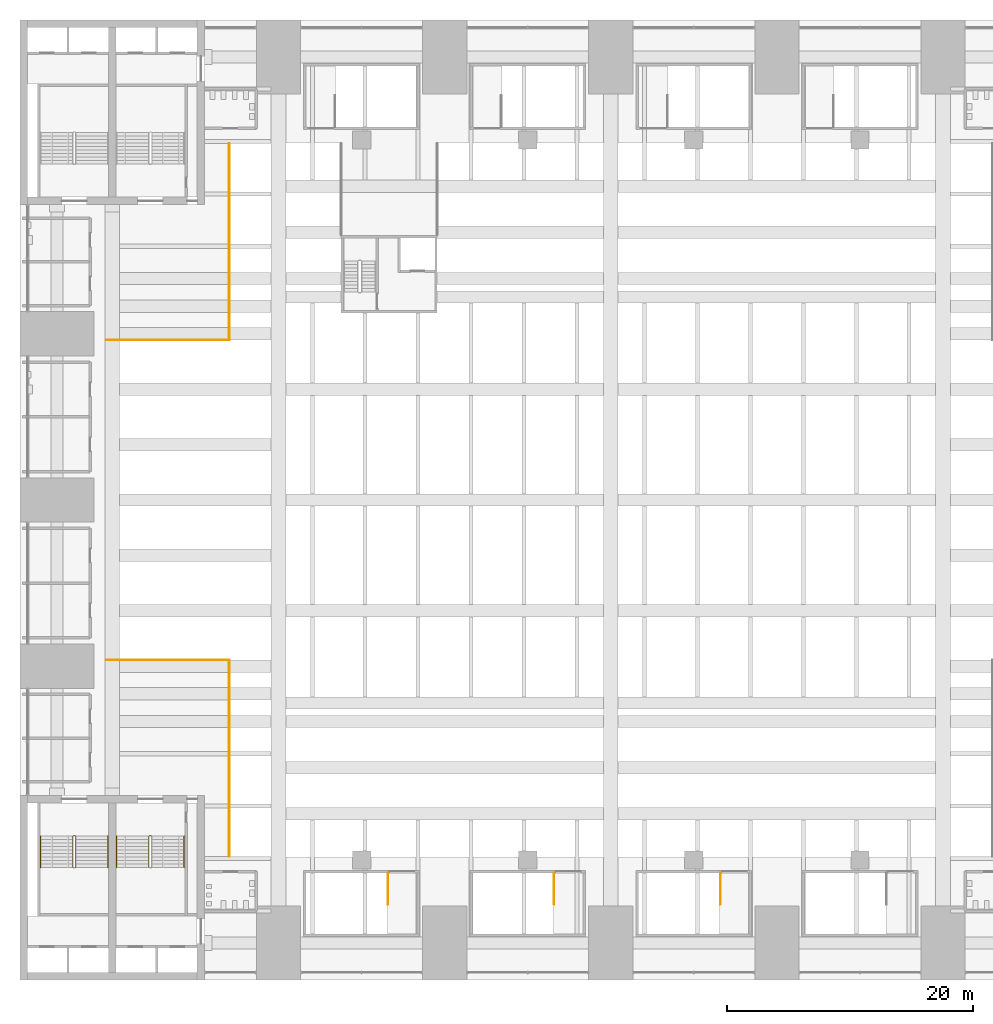
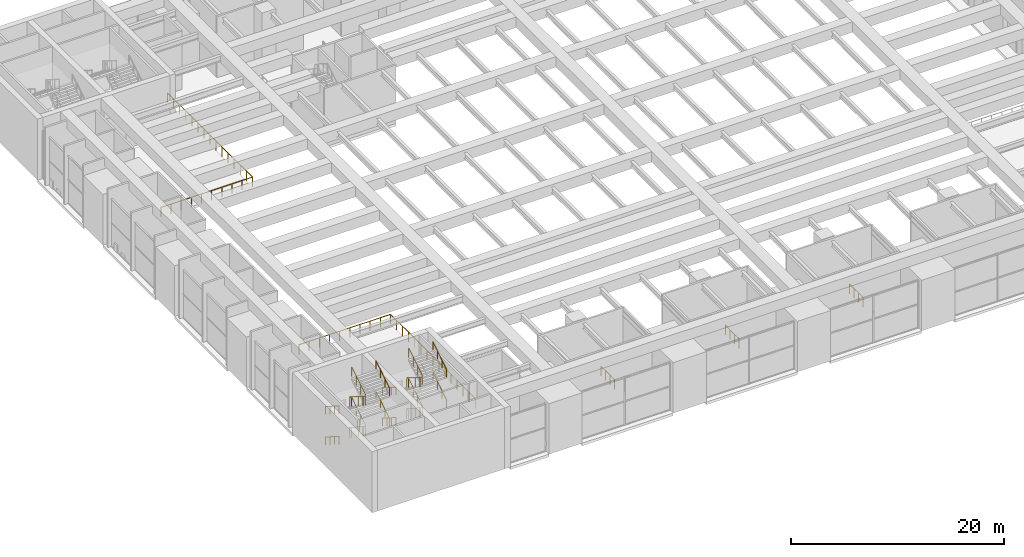
# One storey, part 41 of 45: 9 railings.
"""IFC4 building model written with IfcOpenShell, lengths in metres."""

from ifc_helpers import new_model, si_unit, direction, frame, origin, origin_2d, place, context, subcontext, project, spatial, circle, extrude, material, type_object, element, save


model = new_model("IFC4")

# Units and contexts
model_context = context("Model", 3, precision=1e-05, world=origin(), true_north=direction((0.0, 1.0)))
body_context = subcontext(model_context, "Body", "Model", "MODEL_VIEW")
ifc_project = project(units=[si_unit("LENGTHUNIT", "METRE"), si_unit("AREAUNIT", "SQUARE_METRE"), si_unit("VOLUMEUNIT", "CUBIC_METRE"), si_unit("PLANEANGLEUNIT", "RADIAN"), si_unit("MASSUNIT", "GRAM", prefix="KILO")], contexts=[model_context])

# Site, building, storey
site_placement = place(None, origin())
site = spatial("IfcSite", under=ifc_project, at=site_placement, CompositionType="ELEMENT")
building_placement = place(site_placement, origin())
building = spatial("IfcBuilding", under=site, at=building_placement, Name="Corbelhall Arena Tower", CompositionType="ELEMENT")
storey_placement = place(building_placement, frame((0.0, 0.0, 37.0)))
storey = spatial("IfcBuildingStorey", under=building, at=storey_placement, Name="L05", CompositionType="ELEMENT", Elevation=37.0)

# Railings
ifc_material_1 = material(Name="Stainless steel A4 and laminated glass", Category="steel")
railing_type_1 = type_object("IfcRailingType", Name="AR-GUARD-GLASS", PredefinedType="GUARDRAIL", material=ifc_material_1)
railing_1_placement = place(storey_placement, frame((-31.0, -28.949951171875, 0.0)))
element("IfcRailing", 1, at=railing_1_placement, inside=storey, type_object=railing_type_1, Name="Bowl void guard L05 1", PredefinedType="GUARDRAIL", context=body_context, shape_type="SweptSolid", body=[
    extrude(circle(Radius=0.02392578125, at=origin_2d()), frame((0.0, 0.0, 1.076171875), z_axis=(0.0, 1.0, 0.0), x_axis=(-1.0, 0.0, 0.0)), (0.0, 0.0, 1.0), 15.949951171875),
    extrude(circle(Radius=0.02392578125, at=origin_2d()), frame((0.0, 15.949951171875, 1.076171875), z_axis=(-1.0, 0.0, 0.0), x_axis=(0.0, -1.0, 0.0)), (0.0, 0.0, 1.0), 9.949951171875),
    extrude(circle(Radius=0.02099609375, at=origin_2d()), origin(), (0.0, 0.0, 1.0), 1.052001953125),
    extrude(circle(Radius=0.02099609375, at=origin_2d()), frame((0.0, 1.13916015625, 0.0)), (0.0, 0.0, 1.0), 1.052001953125),
    extrude(circle(Radius=0.02099609375, at=origin_2d()), frame((0.0, 2.278564453125, 0.0)), (0.0, 0.0, 1.0), 1.052001953125),
    extrude(circle(Radius=0.02099609375, at=origin_2d()), frame((0.0, 3.41796875, 0.0)), (0.0, 0.0, 1.0), 1.052001953125),
    extrude(circle(Radius=0.02099609375, at=origin_2d()), frame((0.0, 4.55712890625, 0.0)), (0.0, 0.0, 1.0), 1.052001953125),
    extrude(circle(Radius=0.02099609375, at=origin_2d()), frame((0.0, 5.6962890625, 0.0)), (0.0, 0.0, 1.0), 1.052001953125),
    extrude(circle(Radius=0.02099609375, at=origin_2d()), frame((0.0, 6.835693359375, 0.0)), (0.0, 0.0, 1.0), 1.052001953125),
    extrude(circle(Radius=0.02099609375, at=origin_2d()), frame((0.0, 7.97509765625, 0.0)), (0.0, 0.0, 1.0), 1.052001953125),
    extrude(circle(Radius=0.02099609375, at=origin_2d()), frame((0.0, 9.1142578125, 0.0)), (0.0, 0.0, 1.0), 1.052001953125),
    extrude(circle(Radius=0.02099609375, at=origin_2d()), frame((0.0, 10.25341796875, 0.0)), (0.0, 0.0, 1.0), 1.052001953125),
    extrude(circle(Radius=0.02099609375, at=origin_2d()), frame((0.0, 11.392822265625, 0.0)), (0.0, 0.0, 1.0), 1.052001953125),
    extrude(circle(Radius=0.02099609375, at=origin_2d()), frame((0.0, 12.5322265625, 0.0)), (0.0, 0.0, 1.0), 1.052001953125),
    extrude(circle(Radius=0.02099609375, at=origin_2d()), frame((0.0, 13.67138671875, 0.0)), (0.0, 0.0, 1.0), 1.052001953125),
    extrude(circle(Radius=0.02099609375, at=origin_2d()), frame((0.0, 14.810546875, 0.0)), (0.0, 0.0, 1.0), 1.052001953125),
    extrude(circle(Radius=0.02099609375, at=origin_2d()), frame((0.0, 15.949951171875, 0.0)), (0.0, 0.0, 1.0), 1.052001953125),
    extrude(circle(Radius=0.02099609375, at=origin_2d()), frame((-1.10546875, 15.949951171875, 0.0)), (0.0, 0.0, 1.0), 1.052001953125),
    extrude(circle(Radius=0.02099609375, at=origin_2d()), frame((-2.211181640625, 15.949951171875, 0.0)), (0.0, 0.0, 1.0), 1.052001953125),
    extrude(circle(Radius=0.02099609375, at=origin_2d()), frame((-3.316650390625, 15.949951171875, 0.0)), (0.0, 0.0, 1.0), 1.052001953125),
    extrude(circle(Radius=0.02099609375, at=origin_2d()), frame((-4.422119140625, 15.949951171875, 0.0)), (0.0, 0.0, 1.0), 1.052001953125),
    extrude(circle(Radius=0.02099609375, at=origin_2d()), frame((-5.52783203125, 15.949951171875, 0.0)), (0.0, 0.0, 1.0), 1.052001953125),
    extrude(circle(Radius=0.02099609375, at=origin_2d()), frame((-6.63330078125, 15.949951171875, 0.0)), (0.0, 0.0, 1.0), 1.052001953125),
    extrude(circle(Radius=0.02099609375, at=origin_2d()), frame((-7.73876953125, 15.949951171875, 0.0)), (0.0, 0.0, 1.0), 1.052001953125),
    extrude(circle(Radius=0.02099609375, at=origin_2d()), frame((-8.844482421875, 15.949951171875, 0.0)), (0.0, 0.0, 1.0), 1.052001953125),
    extrude(circle(Radius=0.02099609375, at=origin_2d()), frame((-9.949951171875, 15.949951171875, 0.0)), (0.0, 0.0, 1.0), 1.052001953125),
])
railing_2_placement = place(storey_placement, frame((-40.949951171875, 13.0, 0.0)))
element("IfcRailing", 2, at=railing_2_placement, inside=storey, type_object=railing_type_1, Name="Bowl void guard L05 2", PredefinedType="GUARDRAIL", context=body_context, shape_type="SweptSolid", body=[
    extrude(circle(Radius=0.02392578125, at=origin_2d()), frame((0.0, 0.0, 1.076171875), z_axis=(1.0, 0.0, 0.0), x_axis=(0.0, 1.0, 0.0)), (0.0, 0.0, 1.0), 9.949951171875),
    extrude(circle(Radius=0.02392578125, at=origin_2d()), frame((9.949951171875, 0.0, 1.076171875), z_axis=(0.0, 1.0, 0.0), x_axis=(-1.0, 0.0, 0.0)), (0.0, 0.0, 1.0), 15.949951171875),
    extrude(circle(Radius=0.02099609375, at=origin_2d()), origin(), (0.0, 0.0, 1.0), 1.052001953125),
    extrude(circle(Radius=0.02099609375, at=origin_2d()), frame((1.10546875, 0.0, 0.0)), (0.0, 0.0, 1.0), 1.052001953125),
    extrude(circle(Radius=0.02099609375, at=origin_2d()), frame((2.211181640625, 0.0, 0.0)), (0.0, 0.0, 1.0), 1.052001953125),
    extrude(circle(Radius=0.02099609375, at=origin_2d()), frame((3.316650390625, 0.0, 0.0)), (0.0, 0.0, 1.0), 1.052001953125),
    extrude(circle(Radius=0.02099609375, at=origin_2d()), frame((4.422119140625, 0.0, 0.0)), (0.0, 0.0, 1.0), 1.052001953125),
    extrude(circle(Radius=0.02099609375, at=origin_2d()), frame((5.52783203125, 0.0, 0.0)), (0.0, 0.0, 1.0), 1.052001953125),
    extrude(circle(Radius=0.02099609375, at=origin_2d()), frame((6.63330078125, 0.0, 0.0)), (0.0, 0.0, 1.0), 1.052001953125),
    extrude(circle(Radius=0.02099609375, at=origin_2d()), frame((7.73876953125, 0.0, 0.0)), (0.0, 0.0, 1.0), 1.052001953125),
    extrude(circle(Radius=0.02099609375, at=origin_2d()), frame((8.844482421875, 0.0, 0.0)), (0.0, 0.0, 1.0), 1.052001953125),
    extrude(circle(Radius=0.02099609375, at=origin_2d()), frame((9.949951171875, 0.0, 0.0)), (0.0, 0.0, 1.0), 1.052001953125),
    extrude(circle(Radius=0.02099609375, at=origin_2d()), frame((9.949951171875, 1.13916015625, 0.0)), (0.0, 0.0, 1.0), 1.052001953125),
    extrude(circle(Radius=0.02099609375, at=origin_2d()), frame((9.949951171875, 2.278564453125, 0.0)), (0.0, 0.0, 1.0), 1.052001953125),
    extrude(circle(Radius=0.02099609375, at=origin_2d()), frame((9.949951171875, 3.41796875, 0.0)), (0.0, 0.0, 1.0), 1.052001953125),
    extrude(circle(Radius=0.02099609375, at=origin_2d()), frame((9.949951171875, 4.55712890625, 0.0)), (0.0, 0.0, 1.0), 1.052001953125),
    extrude(circle(Radius=0.02099609375, at=origin_2d()), frame((9.949951171875, 5.6962890625, 0.0)), (0.0, 0.0, 1.0), 1.052001953125),
    extrude(circle(Radius=0.02099609375, at=origin_2d()), frame((9.949951171875, 6.835693359375, 0.0)), (0.0, 0.0, 1.0), 1.052001953125),
    extrude(circle(Radius=0.02099609375, at=origin_2d()), frame((9.949951171875, 7.97509765625, 0.0)), (0.0, 0.0, 1.0), 1.052001953125),
    extrude(circle(Radius=0.02099609375, at=origin_2d()), frame((9.949951171875, 9.1142578125, 0.0)), (0.0, 0.0, 1.0), 1.052001953125),
    extrude(circle(Radius=0.02099609375, at=origin_2d()), frame((9.949951171875, 10.25341796875, 0.0)), (0.0, 0.0, 1.0), 1.052001953125),
    extrude(circle(Radius=0.02099609375, at=origin_2d()), frame((9.949951171875, 11.392822265625, 0.0)), (0.0, 0.0, 1.0), 1.052001953125),
    extrude(circle(Radius=0.02099609375, at=origin_2d()), frame((9.949951171875, 12.5322265625, 0.0)), (0.0, 0.0, 1.0), 1.052001953125),
    extrude(circle(Radius=0.02099609375, at=origin_2d()), frame((9.949951171875, 13.67138671875, 0.0)), (0.0, 0.0, 1.0), 1.052001953125),
    extrude(circle(Radius=0.02099609375, at=origin_2d()), frame((9.949951171875, 14.810546875, 0.0)), (0.0, 0.0, 1.0), 1.052001953125),
    extrude(circle(Radius=0.02099609375, at=origin_2d()), frame((9.949951171875, 15.949951171875, 0.0)), (0.0, 0.0, 1.0), 1.052001953125),
])
ifc_material_2 = material(Name="Stainless steel A4", Category="steel")
railing_type_2 = type_object("IfcRailingType", Name="AR-STAIR-GUARD", PredefinedType="GUARDRAIL", material=ifc_material_2)
for number, where, name in (
    (3, (-18.10009765625, -30.300048828125, 0.0), "L05 AS13 top well guards"),
    (4, (-4.60009765625, -30.300048828125, 0.0), "L05 AS14 top well guards"),
    (5, (8.89990234375, -30.300048828125, 0.0), "L05 AS15 top well guards"),
):
    element("IfcRailing", number, at=place(storey_placement, frame(where)), inside=storey, type_object=railing_type_2, Name=name, PredefinedType="GUARDRAIL", context=body_context, shape_type="SweptSolid", body=[
        extrude(circle(Radius=0.02392578125, at=origin_2d()), frame((0.0, 0.0, 1.076171875), z_axis=(0.0, -1.0, 0.0), x_axis=(1.0, 0.0, 0.0)), (0.0, 0.0, 1.0), 2.550048828125),
        extrude(circle(Radius=0.02099609375, at=origin_2d()), origin(), (0.0, 0.0, 1.0), 1.052001953125),
        extrude(circle(Radius=0.02099609375, at=origin_2d()), frame((0.0, -0.85009765625, 0.0)), (0.0, 0.0, 1.0), 1.052001953125),
        extrude(circle(Radius=0.02099609375, at=origin_2d()), frame((0.0, -1.699951171875, 0.0)), (0.0, 0.0, 1.0), 1.052001953125),
        extrude(circle(Radius=0.02099609375, at=origin_2d()), frame((0.0, -2.550048828125, 0.0)), (0.0, 0.0, 1.0), 1.052001953125),
    ])
railing_3_placement = place(storey_placement, frame((-37.530029296875, -27.320068359375, 0.175048828125)))
element("IfcRailing", 6, at=railing_3_placement, inside=storey, type_object=railing_type_2, Name="L05 AS7 stair guards", PredefinedType="GUARDRAIL", context=body_context, shape_type="SweptSolid", body=[
    extrude(circle(Radius=0.02392578125, at=origin_2d()), frame((0.0, 0.0, 1.076171875), z_axis=(0.0, -0.848007534815, 0.529984170421), x_axis=(1.0, 0.0, 0.0)), (0.0, 0.0, 1.0), 2.9716796875),
    extrude(circle(Radius=0.02392578125, at=origin_2d()), frame((0.050048828125, -2.56982421875, 2.65087890625), z_axis=(1.0, 0.0, 0.0), x_axis=(0.0, 1.0, 0.0)), (0.0, 0.0, 1.0), 0.14990234375),
    extrude(circle(Radius=0.02392578125, at=origin_2d()), frame((0.25, -2.52001953125, 2.826171875), z_axis=(0.0, 0.848007534815, 0.529984170421), x_axis=(-1.0, 0.0, 0.0)), (0.0, 0.0, 1.0), 2.9716796875),
    extrude(circle(Radius=0.02392578125, at=origin_2d()), frame((0.050048828125, 0.050048828125, 4.40087890625), z_axis=(1.0, 0.0, 0.0), x_axis=(0.0, 1.0, 0.0)), (0.0, 0.0, 1.0), 0.14990234375),
    extrude(circle(Radius=0.02392578125, at=origin_2d()), frame((0.0, 0.0, 4.576171875), z_axis=(0.0, -0.848007534815, 0.529984170421), x_axis=(1.0, 0.0, 0.0)), (0.0, 0.0, 1.0), 2.9716796875),
    extrude(circle(Radius=0.02392578125, at=origin_2d()), frame((0.050048828125, -2.56982421875, 6.15087890625), z_axis=(1.0, 0.0, 0.0), x_axis=(0.0, 1.0, 0.0)), (0.0, 0.0, 1.0), 0.14990234375),
    extrude(circle(Radius=0.02392578125, at=origin_2d()), frame((0.25, -2.52001953125, 6.326171875), z_axis=(0.0, 0.848007534815, 0.529984170421), x_axis=(-1.0, 0.0, 0.0)), (0.0, 0.0, 1.0), 2.9716796875),
    extrude(circle(Radius=0.02392578125, at=origin_2d()), frame((0.050048828125, 0.050048828125, 0.90087890625), z_axis=(1.0, 0.0, 0.0), x_axis=(0.0, 1.0, 0.0)), (0.0, 0.0, 1.0), 0.14990234375),
    extrude(circle(Radius=0.02099609375, at=origin_2d()), origin(), (0.0, 0.0, 1.0), 1.052001953125),
    extrude(circle(Radius=0.02099609375, at=origin_2d()), frame((0.0, -0.840087890625, 0.52490234375)), (0.0, 0.0, 1.0), 1.052001953125),
    extrude(circle(Radius=0.02099609375, at=origin_2d()), frame((0.0, -1.679931640625, 1.050048828125)), (0.0, 0.0, 1.0), 1.052001953125),
    extrude(circle(Radius=0.02099609375, at=origin_2d()), frame((0.0, -2.52001953125, 1.574951171875)), (0.0, 0.0, 1.0), 1.052001953125),
    extrude(circle(Radius=0.02099609375, at=origin_2d()), frame((0.050048828125, -2.56982421875, 1.574951171875)), (0.0, 0.0, 1.0), 1.052001953125),
    extrude(circle(Radius=0.02099609375, at=origin_2d()), frame((0.199951171875, -2.56982421875, 1.574951171875)), (0.0, 0.0, 1.0), 1.052001953125),
    extrude(circle(Radius=0.02099609375, at=origin_2d()), frame((0.25, -2.52001953125, 1.75)), (0.0, 0.0, 1.0), 1.052001953125),
    extrude(circle(Radius=0.02099609375, at=origin_2d()), frame((0.25, -1.679931640625, 2.27490234375)), (0.0, 0.0, 1.0), 1.052001953125),
    extrude(circle(Radius=0.02099609375, at=origin_2d()), frame((0.25, -0.840087890625, 2.800048828125)), (0.0, 0.0, 1.0), 1.052001953125),
    extrude(circle(Radius=0.02099609375, at=origin_2d()), frame((0.25, 0.0, 3.324951171875)), (0.0, 0.0, 1.0), 1.052001953125),
    extrude(circle(Radius=0.02099609375, at=origin_2d()), frame((0.050048828125, 0.050048828125, 3.324951171875)), (0.0, 0.0, 1.0), 1.052001953125),
    extrude(circle(Radius=0.02099609375, at=origin_2d()), frame((0.199951171875, 0.050048828125, 3.324951171875)), (0.0, 0.0, 1.0), 1.052001953125),
    extrude(circle(Radius=0.02099609375, at=origin_2d()), frame((0.0, 0.0, 3.5)), (0.0, 0.0, 1.0), 1.052001953125),
    extrude(circle(Radius=0.02099609375, at=origin_2d()), frame((0.0, -0.840087890625, 4.02490234375)), (0.0, 0.0, 1.0), 1.052001953125),
    extrude(circle(Radius=0.02099609375, at=origin_2d()), frame((0.0, -1.679931640625, 4.550048828125)), (0.0, 0.0, 1.0), 1.052001953125),
    extrude(circle(Radius=0.02099609375, at=origin_2d()), frame((0.0, -2.52001953125, 5.074951171875)), (0.0, 0.0, 1.0), 1.052001953125),
    extrude(circle(Radius=0.02099609375, at=origin_2d()), frame((0.050048828125, -2.56982421875, 5.074951171875)), (0.0, 0.0, 1.0), 1.052001953125),
    extrude(circle(Radius=0.02099609375, at=origin_2d()), frame((0.199951171875, -2.56982421875, 5.074951171875)), (0.0, 0.0, 1.0), 1.052001953125),
    extrude(circle(Radius=0.02099609375, at=origin_2d()), frame((0.25, -2.52001953125, 5.25)), (0.0, 0.0, 1.0), 1.052001953125),
    extrude(circle(Radius=0.02099609375, at=origin_2d()), frame((0.25, -1.679931640625, 5.77490234375)), (0.0, 0.0, 1.0), 1.052001953125),
    extrude(circle(Radius=0.02099609375, at=origin_2d()), frame((0.25, -0.840087890625, 6.300048828125)), (0.0, 0.0, 1.0), 1.052001953125),
    extrude(circle(Radius=0.02099609375, at=origin_2d()), frame((0.25, 0.0, 6.824951171875)), (0.0, 0.0, 1.0), 1.052001953125),
    extrude(circle(Radius=0.02099609375, at=origin_2d()), frame((0.050048828125, 0.050048828125, -0.175048828125)), (0.0, 0.0, 1.0), 1.052001953125),
    extrude(circle(Radius=0.02099609375, at=origin_2d()), frame((0.199951171875, 0.050048828125, -0.175048828125)), (0.0, 0.0, 1.0), 1.052001953125),
])
railing_4_placement = place(storey_placement, frame((-43.719970703125, -27.320068359375, 0.175048828125)))
element("IfcRailing", 7, at=railing_4_placement, inside=storey, type_object=railing_type_2, Name="L05 AS8 stair guards", PredefinedType="GUARDRAIL", context=body_context, shape_type="SweptSolid", body=[
    extrude(circle(Radius=0.02392578125, at=origin_2d()), frame((0.0, 0.0, 1.076171875), z_axis=(0.0, -0.848007534815, 0.529984170421), x_axis=(1.0, 0.0, 0.0)), (0.0, 0.0, 1.0), 2.9716796875),
    extrude(circle(Radius=0.02392578125, at=origin_2d()), frame((0.050048828125, -2.56982421875, 2.65087890625), z_axis=(1.0, 0.0, 0.0), x_axis=(0.0, 1.0, 0.0)), (0.0, 0.0, 1.0), 0.14990234375),
    extrude(circle(Radius=0.02392578125, at=origin_2d()), frame((0.25, -2.52001953125, 2.826171875), z_axis=(0.0, 0.848007534815, 0.529984170421), x_axis=(-1.0, 0.0, 0.0)), (0.0, 0.0, 1.0), 2.9716796875),
    extrude(circle(Radius=0.02392578125, at=origin_2d()), frame((0.050048828125, 0.050048828125, 4.40087890625), z_axis=(1.0, 0.0, 0.0), x_axis=(0.0, 1.0, 0.0)), (0.0, 0.0, 1.0), 0.14990234375),
    extrude(circle(Radius=0.02392578125, at=origin_2d()), frame((0.0, 0.0, 4.576171875), z_axis=(0.0, -0.848007534815, 0.529984170421), x_axis=(1.0, 0.0, 0.0)), (0.0, 0.0, 1.0), 2.9716796875),
    extrude(circle(Radius=0.02392578125, at=origin_2d()), frame((0.050048828125, -2.56982421875, 6.15087890625), z_axis=(1.0, 0.0, 0.0), x_axis=(0.0, 1.0, 0.0)), (0.0, 0.0, 1.0), 0.14990234375),
    extrude(circle(Radius=0.02392578125, at=origin_2d()), frame((0.25, -2.52001953125, 6.326171875), z_axis=(0.0, 0.848007534815, 0.529984170421), x_axis=(-1.0, 0.0, 0.0)), (0.0, 0.0, 1.0), 2.9716796875),
    extrude(circle(Radius=0.02392578125, at=origin_2d()), frame((0.050048828125, 0.050048828125, 0.90087890625), z_axis=(1.0, 0.0, 0.0), x_axis=(0.0, 1.0, 0.0)), (0.0, 0.0, 1.0), 0.14990234375),
    extrude(circle(Radius=0.02099609375, at=origin_2d()), origin(), (0.0, 0.0, 1.0), 1.052001953125),
    extrude(circle(Radius=0.02099609375, at=origin_2d()), frame((0.0, -0.840087890625, 0.52490234375)), (0.0, 0.0, 1.0), 1.052001953125),
    extrude(circle(Radius=0.02099609375, at=origin_2d()), frame((0.0, -1.679931640625, 1.050048828125)), (0.0, 0.0, 1.0), 1.052001953125),
    extrude(circle(Radius=0.02099609375, at=origin_2d()), frame((0.0, -2.52001953125, 1.574951171875)), (0.0, 0.0, 1.0), 1.052001953125),
    extrude(circle(Radius=0.02099609375, at=origin_2d()), frame((0.050048828125, -2.56982421875, 1.574951171875)), (0.0, 0.0, 1.0), 1.052001953125),
    extrude(circle(Radius=0.02099609375, at=origin_2d()), frame((0.199951171875, -2.56982421875, 1.574951171875)), (0.0, 0.0, 1.0), 1.052001953125),
    extrude(circle(Radius=0.02099609375, at=origin_2d()), frame((0.25, -2.52001953125, 1.75)), (0.0, 0.0, 1.0), 1.052001953125),
    extrude(circle(Radius=0.02099609375, at=origin_2d()), frame((0.25, -1.679931640625, 2.27490234375)), (0.0, 0.0, 1.0), 1.052001953125),
    extrude(circle(Radius=0.02099609375, at=origin_2d()), frame((0.25, -0.840087890625, 2.800048828125)), (0.0, 0.0, 1.0), 1.052001953125),
    extrude(circle(Radius=0.02099609375, at=origin_2d()), frame((0.25, 0.0, 3.324951171875)), (0.0, 0.0, 1.0), 1.052001953125),
    extrude(circle(Radius=0.02099609375, at=origin_2d()), frame((0.050048828125, 0.050048828125, 3.324951171875)), (0.0, 0.0, 1.0), 1.052001953125),
    extrude(circle(Radius=0.02099609375, at=origin_2d()), frame((0.199951171875, 0.050048828125, 3.324951171875)), (0.0, 0.0, 1.0), 1.052001953125),
    extrude(circle(Radius=0.02099609375, at=origin_2d()), frame((0.0, 0.0, 3.5)), (0.0, 0.0, 1.0), 1.052001953125),
    extrude(circle(Radius=0.02099609375, at=origin_2d()), frame((0.0, -0.840087890625, 4.02490234375)), (0.0, 0.0, 1.0), 1.052001953125),
    extrude(circle(Radius=0.02099609375, at=origin_2d()), frame((0.0, -1.679931640625, 4.550048828125)), (0.0, 0.0, 1.0), 1.052001953125),
    extrude(circle(Radius=0.02099609375, at=origin_2d()), frame((0.0, -2.52001953125, 5.074951171875)), (0.0, 0.0, 1.0), 1.052001953125),
    extrude(circle(Radius=0.02099609375, at=origin_2d()), frame((0.050048828125, -2.56982421875, 5.074951171875)), (0.0, 0.0, 1.0), 1.052001953125),
    extrude(circle(Radius=0.02099609375, at=origin_2d()), frame((0.199951171875, -2.56982421875, 5.074951171875)), (0.0, 0.0, 1.0), 1.052001953125),
    extrude(circle(Radius=0.02099609375, at=origin_2d()), frame((0.25, -2.52001953125, 5.25)), (0.0, 0.0, 1.0), 1.052001953125),
    extrude(circle(Radius=0.02099609375, at=origin_2d()), frame((0.25, -1.679931640625, 5.77490234375)), (0.0, 0.0, 1.0), 1.052001953125),
    extrude(circle(Radius=0.02099609375, at=origin_2d()), frame((0.25, -0.840087890625, 6.300048828125)), (0.0, 0.0, 1.0), 1.052001953125),
    extrude(circle(Radius=0.02099609375, at=origin_2d()), frame((0.25, 0.0, 6.824951171875)), (0.0, 0.0, 1.0), 1.052001953125),
    extrude(circle(Radius=0.02099609375, at=origin_2d()), frame((0.050048828125, 0.050048828125, -0.175048828125)), (0.0, 0.0, 1.0), 1.052001953125),
    extrude(circle(Radius=0.02099609375, at=origin_2d()), frame((0.199951171875, 0.050048828125, -0.175048828125)), (0.0, 0.0, 1.0), 1.052001953125),
])
railing_type_3 = type_object("IfcRailingType", Name="AR-STAIR-HANDRAIL", PredefinedType="HANDRAIL", material=ifc_material_2)
railing_5_placement = place(storey_placement, frame((-40.14990234375, -27.320068359375, 0.175048828125)))
element("IfcRailing", 8, at=railing_5_placement, inside=storey, type_object=railing_type_3, Name="L05 AS7 stair handrails", PredefinedType="HANDRAIL", context=body_context, shape_type="SweptSolid", body=[
    extrude(circle(Radius=0.02392578125, at=origin_2d()), frame((0.0, 0.0, 0.8759765625), z_axis=(0.0, -0.848007534815, 0.529984170421), x_axis=(1.0, 0.0, 0.0)), (0.0, 0.0, 1.0), 2.9716796875),
    extrude(circle(Radius=0.02392578125, at=origin_2d()), frame((5.489990234375, -2.52001953125, 2.6259765625), z_axis=(0.0, 0.848007534815, 0.529984170421), x_axis=(-1.0, 0.0, 0.0)), (0.0, 0.0, 1.0), 2.9716796875),
    extrude(circle(Radius=0.02392578125, at=origin_2d()), frame((0.0, 0.0, 4.3759765625), z_axis=(0.0, -0.848007534815, 0.529984170421), x_axis=(1.0, 0.0, 0.0)), (0.0, 0.0, 1.0), 2.9716796875),
    extrude(circle(Radius=0.02392578125, at=origin_2d()), frame((5.489990234375, -2.52001953125, 6.1259765625), z_axis=(0.0, 0.848007534815, 0.529984170421), x_axis=(-1.0, 0.0, 0.0)), (0.0, 0.0, 1.0), 2.9716796875),
    extrude(circle(Radius=0.02099609375, at=origin_2d()), origin(), (0.0, 0.0, 1.0), 0.851806640625),
    extrude(circle(Radius=0.02099609375, at=origin_2d()), frame((0.0, -0.840087890625, 0.52490234375)), (0.0, 0.0, 1.0), 0.851806640625),
    extrude(circle(Radius=0.02099609375, at=origin_2d()), frame((0.0, -1.679931640625, 1.050048828125)), (0.0, 0.0, 1.0), 0.851806640625),
    extrude(circle(Radius=0.02099609375, at=origin_2d()), frame((0.0, -2.52001953125, 1.574951171875)), (0.0, 0.0, 1.0), 0.851806640625),
    extrude(circle(Radius=0.02099609375, at=origin_2d()), frame((5.489990234375, -2.52001953125, 1.75)), (0.0, 0.0, 1.0), 0.851806640625),
    extrude(circle(Radius=0.02099609375, at=origin_2d()), frame((5.489990234375, -1.679931640625, 2.27490234375)), (0.0, 0.0, 1.0), 0.851806640625),
    extrude(circle(Radius=0.02099609375, at=origin_2d()), frame((5.489990234375, -0.840087890625, 2.800048828125)), (0.0, 0.0, 1.0), 0.851806640625),
    extrude(circle(Radius=0.02099609375, at=origin_2d()), frame((5.489990234375, 0.0, 3.324951171875)), (0.0, 0.0, 1.0), 0.851806640625),
    extrude(circle(Radius=0.02099609375, at=origin_2d()), frame((0.0, 0.0, 3.5)), (0.0, 0.0, 1.0), 0.851806640625),
    extrude(circle(Radius=0.02099609375, at=origin_2d()), frame((0.0, -0.840087890625, 4.02490234375)), (0.0, 0.0, 1.0), 0.851806640625),
    extrude(circle(Radius=0.02099609375, at=origin_2d()), frame((0.0, -1.679931640625, 4.550048828125)), (0.0, 0.0, 1.0), 0.851806640625),
    extrude(circle(Radius=0.02099609375, at=origin_2d()), frame((0.0, -2.52001953125, 5.074951171875)), (0.0, 0.0, 1.0), 0.851806640625),
    extrude(circle(Radius=0.02099609375, at=origin_2d()), frame((5.489990234375, -2.52001953125, 5.25)), (0.0, 0.0, 1.0), 0.851806640625),
    extrude(circle(Radius=0.02099609375, at=origin_2d()), frame((5.489990234375, -1.679931640625, 5.77490234375)), (0.0, 0.0, 1.0), 0.851806640625),
    extrude(circle(Radius=0.02099609375, at=origin_2d()), frame((5.489990234375, -0.840087890625, 6.300048828125)), (0.0, 0.0, 1.0), 0.851806640625),
    extrude(circle(Radius=0.02099609375, at=origin_2d()), frame((5.489990234375, 0.0, 6.824951171875)), (0.0, 0.0, 1.0), 0.851806640625),
])
railing_6_placement = place(storey_placement, frame((-46.340087890625, -27.320068359375, 0.175048828125)))
element("IfcRailing", 9, at=railing_6_placement, inside=storey, type_object=railing_type_3, Name="L05 AS8 stair handrails", PredefinedType="HANDRAIL", context=body_context, shape_type="SweptSolid", body=[
    extrude(circle(Radius=0.02392578125, at=origin_2d()), frame((0.0, 0.0, 0.8759765625), z_axis=(0.0, -0.848007534815, 0.529984170421), x_axis=(1.0, 0.0, 0.0)), (0.0, 0.0, 1.0), 2.9716796875),
    extrude(circle(Radius=0.02392578125, at=origin_2d()), frame((5.489990234375, -2.52001953125, 2.6259765625), z_axis=(0.0, 0.848007534815, 0.529984170421), x_axis=(-1.0, 0.0, 0.0)), (0.0, 0.0, 1.0), 2.9716796875),
    extrude(circle(Radius=0.02392578125, at=origin_2d()), frame((0.0, 0.0, 4.3759765625), z_axis=(0.0, -0.848007534815, 0.529984170421), x_axis=(1.0, 0.0, 0.0)), (0.0, 0.0, 1.0), 2.9716796875),
    extrude(circle(Radius=0.02392578125, at=origin_2d()), frame((5.489990234375, -2.52001953125, 6.1259765625), z_axis=(0.0, 0.848007534815, 0.529984170421), x_axis=(-1.0, 0.0, 0.0)), (0.0, 0.0, 1.0), 2.9716796875),
    extrude(circle(Radius=0.02099609375, at=origin_2d()), origin(), (0.0, 0.0, 1.0), 0.851806640625),
    extrude(circle(Radius=0.02099609375, at=origin_2d()), frame((0.0, -0.840087890625, 0.52490234375)), (0.0, 0.0, 1.0), 0.851806640625),
    extrude(circle(Radius=0.02099609375, at=origin_2d()), frame((0.0, -1.679931640625, 1.050048828125)), (0.0, 0.0, 1.0), 0.851806640625),
    extrude(circle(Radius=0.02099609375, at=origin_2d()), frame((0.0, -2.52001953125, 1.574951171875)), (0.0, 0.0, 1.0), 0.851806640625),
    extrude(circle(Radius=0.02099609375, at=origin_2d()), frame((5.489990234375, -2.52001953125, 1.75)), (0.0, 0.0, 1.0), 0.851806640625),
    extrude(circle(Radius=0.02099609375, at=origin_2d()), frame((5.489990234375, -1.679931640625, 2.27490234375)), (0.0, 0.0, 1.0), 0.851806640625),
    extrude(circle(Radius=0.02099609375, at=origin_2d()), frame((5.489990234375, -0.840087890625, 2.800048828125)), (0.0, 0.0, 1.0), 0.851806640625),
    extrude(circle(Radius=0.02099609375, at=origin_2d()), frame((5.489990234375, 0.0, 3.324951171875)), (0.0, 0.0, 1.0), 0.851806640625),
    extrude(circle(Radius=0.02099609375, at=origin_2d()), frame((0.0, 0.0, 3.5)), (0.0, 0.0, 1.0), 0.851806640625),
    extrude(circle(Radius=0.02099609375, at=origin_2d()), frame((0.0, -0.840087890625, 4.02490234375)), (0.0, 0.0, 1.0), 0.851806640625),
    extrude(circle(Radius=0.02099609375, at=origin_2d()), frame((0.0, -1.679931640625, 4.550048828125)), (0.0, 0.0, 1.0), 0.851806640625),
    extrude(circle(Radius=0.02099609375, at=origin_2d()), frame((0.0, -2.52001953125, 5.074951171875)), (0.0, 0.0, 1.0), 0.851806640625),
    extrude(circle(Radius=0.02099609375, at=origin_2d()), frame((5.489990234375, -2.52001953125, 5.25)), (0.0, 0.0, 1.0), 0.851806640625),
    extrude(circle(Radius=0.02099609375, at=origin_2d()), frame((5.489990234375, -1.679931640625, 5.77490234375)), (0.0, 0.0, 1.0), 0.851806640625),
    extrude(circle(Radius=0.02099609375, at=origin_2d()), frame((5.489990234375, -0.840087890625, 6.300048828125)), (0.0, 0.0, 1.0), 0.851806640625),
    extrude(circle(Radius=0.02099609375, at=origin_2d()), frame((5.489990234375, 0.0, 6.824951171875)), (0.0, 0.0, 1.0), 0.851806640625),
])

save(model, "model.ifc")
